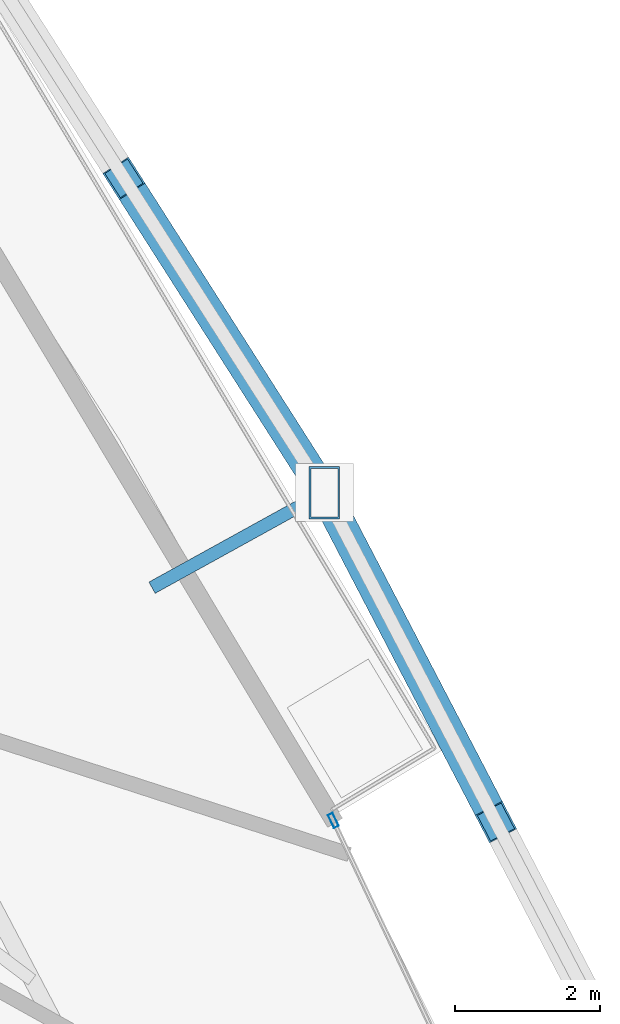
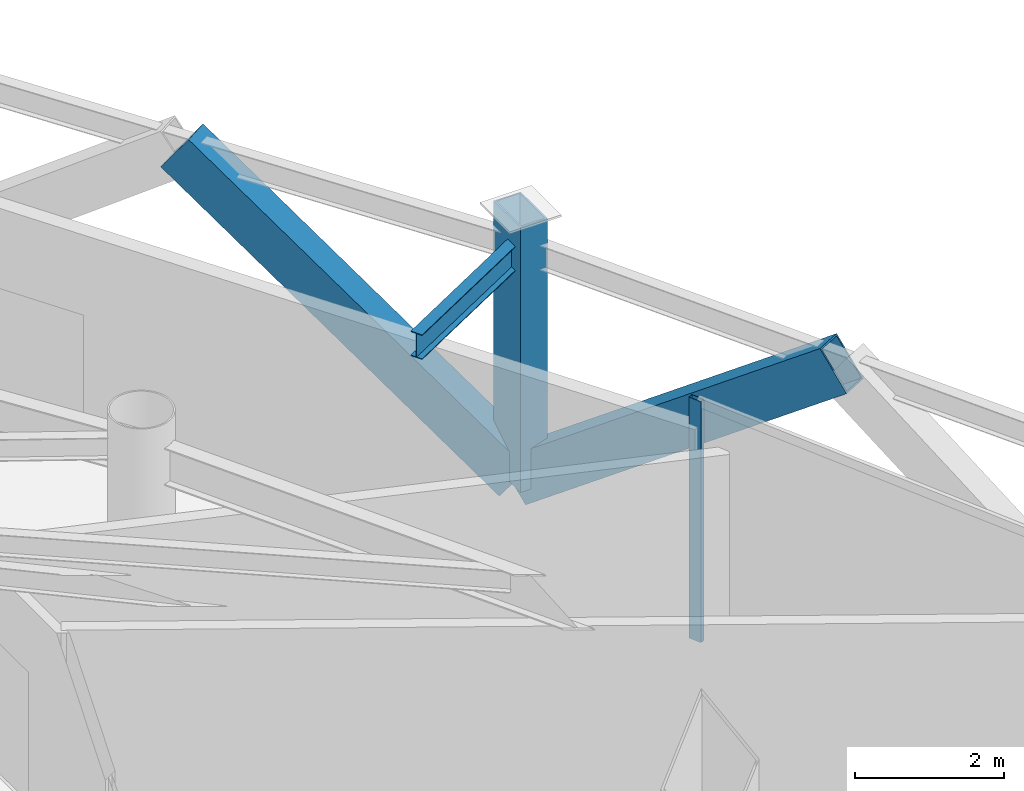
# One storey, part 17 of 33: 4 members, 1 beam, 1 element without a shape of its own.
"""IFC4 building model written with IfcOpenShell, lengths in metres."""

from ifc_helpers import new_model, si_unit, direction, frame, origin, origin_2d, place, context, subcontext, project, spatial, hollow_rectangle, i_section, extrude, material, layer, layer_set, material_profile, profile_set, type_object, element, aggregate, save


model = new_model("IFC4")

# Units and contexts
model_context = context("Model", 3, precision=1e-05, world=origin(), true_north=direction((0.0, 1.0)))
body_context = subcontext(model_context, "Body", "Model", "MODEL_VIEW")
ifc_project = project(units=[si_unit("LENGTHUNIT", "METRE"), si_unit("AREAUNIT", "SQUARE_METRE"), si_unit("VOLUMEUNIT", "CUBIC_METRE"), si_unit("PLANEANGLEUNIT", "RADIAN"), si_unit("MASSUNIT", "GRAM", prefix="KILO")], contexts=[model_context])

# Site, building, storey
site_placement = place(None, origin())
site = spatial("IfcSite", under=ifc_project, at=site_placement, CompositionType="ELEMENT")
building_placement = place(site_placement, origin())
building = spatial("IfcBuilding", under=site, at=building_placement, Name="Orvanel Arch Residences", CompositionType="ELEMENT")
storey_placement = place(building_placement, frame((0.0, 0.0, 97.25)))
storey = spatial("IfcBuildingStorey", under=building, at=storey_placement, Name="L27", CompositionType="ELEMENT", Elevation=97.25)

# Members
ifc_material_1 = material(Name="Structural steel AS/NZS 3678 Grade 350", Category="steel")
ifc_material_profile_1 = material_profile(ifc_material_1, hollow_rectangle(XDim=0.419921875, YDim=0.719970703125, WallThickness=0.02490234375, at=origin_2d()), Name="RHS720x420x25")
ifc_profile_set_1 = profile_set([ifc_material_profile_1], Name="Structural steel AS/NZS 3678 Grade 350")
member_type_1 = type_object("IfcMemberType", Name="BR-720RHS-EXT", PredefinedType="BRACE", material=ifc_profile_set_1)
member_1_placement = place(storey_placement, frame((52.18505859375, 29.14990234375, 0.0), z_axis=(0.372612527269, -0.715377539433, 0.591096337831), x_axis=(0.886903895495, 0.461953980561, 0.0)))
element("IfcMember", 1, at=member_1_placement, inside=storey, type_object=member_type_1, Name="L27 Exterior Sky-Garden V-Frame Chevron F3B1.2", PredefinedType="BRACE", context=body_context, shape_type="SweptSolid", body=[
    extrude(hollow_rectangle(XDim=0.419921875, YDim=0.719970703125, WallThickness=0.02490234375, at=origin_2d()), origin(), (0.0, 0.0, 1.0), 6.339111328125),
])
member_2_placement = place(storey_placement, frame((52.18505859375, 29.14990234375, 0.0), z_axis=(-0.434166164328, 0.680861092965, 0.589854146242), x_axis=(-0.8431613935, -0.537660547661, 0.0)))
element("IfcMember", 2, at=member_2_placement, inside=storey, type_object=member_type_1, Name="L27 Exterior Sky-Garden V-Frame Chevron F3B2.1", PredefinedType="BRACE", context=body_context, shape_type="SweptSolid", body=[
    extrude(hollow_rectangle(XDim=0.419921875, YDim=0.719970703125, WallThickness=0.02490234375, at=origin_2d()), origin(), (0.0, 0.0, 1.0), 6.3525390625),
])
ifc_material_profile_2 = material_profile(ifc_material_1, hollow_rectangle(XDim=0.419921875, YDim=0.719970703125, WallThickness=0.02490234375, at=origin_2d()), Name="RHS720x420x25")
ifc_profile_set_2 = profile_set([ifc_material_profile_2], Name="Structural steel AS/NZS 3678 Grade 350")
member_type_2 = type_object("IfcMemberType", Name="CH-720RHS-EXT", PredefinedType="CHORD", material=ifc_profile_set_2)
member_3_placement = place(storey_placement, frame((52.18505859375, 29.14990234375, 0.0), z_axis=(0.0, 0.0, 1.0), x_axis=(1.0, 0.0, 0.0)))
element("IfcMember", 3, at=member_3_placement, inside=storey, type_object=member_type_2, Name="L27 Outer Perimeter Frame Post 10", PredefinedType="CHORD", context=body_context, shape_type="SweptSolid", body=[
    extrude(hollow_rectangle(XDim=0.419921875, YDim=0.719970703125, WallThickness=0.02490234375, at=origin_2d()), origin(), (0.0, 0.0, 1.0), 4.35009765625),
])

# Curtain wall, member
ifc_material_2 = material(Name="Bronze-anodised aluminium AA6063-T6", Category="aluminium")
ifc_layer = layer(ifc_material_2, 0.195068359375)
ifc_layer_set = layer_set([ifc_layer], Name="Bronze-anodised aluminium AA6063-T6")
curtain_wall_type = type_object("IfcCurtainWallType", Name="CW6-COM-SYS", PredefinedType="NOTDEFINED", material=ifc_layer_set)
curtain_wall_placement = place(storey_placement, origin())
curtain_wall = element("IfcCurtainWall", 4, at=curtain_wall_placement, inside=storey, type_object=curtain_wall_type, Name="L27 CW6-COM-SYS Unitised Curtain Wall", PredefinedType="NOTDEFINED")
ifc_material_profile_3 = material_profile(ifc_material_2, hollow_rectangle(XDim=0.074951171875, YDim=0.199951171875, WallThickness=0.0048828125, at=origin_2d()), Name="ALU200x75x5")
ifc_profile_set_3 = profile_set([ifc_material_profile_3], Name="Bronze-anodised aluminium AA6063-T6")
member_type_3 = type_object("IfcMemberType", Name="MUL-200x75", PredefinedType="MULLION", material=ifc_profile_set_3)
member_4_placement = place(storey_placement, frame((52.30908203125, 24.63818359375, 0.0), z_axis=(0.0, 0.0, 1.0), x_axis=(-0.904253146381, -0.426996776639, 0.0)))
member_4 = element("IfcMember", 5, at=member_4_placement, type_object=member_type_3, Name="CW-S6 mullion 3", PredefinedType="MULLION", context=body_context, shape_type="SweptSolid", body=[
    extrude(hollow_rectangle(XDim=0.074951171875, YDim=0.199951171875, WallThickness=0.0048828125, at=origin_2d()), origin(), (0.0, 0.0, 1.0), 3.949951171875),
])
aggregate(curtain_wall, [member_4])

# Beam
ifc_material_3 = material(Name="Structural steel AS/NZS 3679.1 Grade 300 (300 MPa)", Category="steel")
ifc_material_profile_4 = material_profile(ifc_material_3, i_section(OverallWidth=0.177978515625, OverallDepth=0.406005859375, WebThickness=0.0078125, FlangeThickness=0.0126953125, at=origin_2d()), Name="410UB59.7")
ifc_profile_set_4 = profile_set([ifc_material_profile_4], Name="Structural steel AS/NZS 3679.1 Grade 300 (300 MPa)")
beam_type = type_object("IfcBeamType", Name="OB-410UB-EXT", PredefinedType="SPANDREL", material=ifc_profile_set_4)
beam_placement = place(storey_placement, frame((49.81396484375, 27.841064453125, 3.7470703125), z_axis=(0.875476427661, 0.483260824618, 0.0), x_axis=(-0.483260824618, 0.875476427661, 0.0)))
element("IfcBeam", 6, at=beam_placement, inside=storey, type_object=beam_type, Name="L27 Outer Frame Radial Tie Beam 10", PredefinedType="SPANDREL", context=body_context, shape_type="SweptSolid", body=[
    extrude(i_section(OverallWidth=0.177978515625, OverallDepth=0.406005859375, WebThickness=0.0078125, FlangeThickness=0.0126953125, at=origin_2d()), origin(), (0.0, 0.0, 1.0), 2.708251953125),
])

save(model, "model.ifc")
